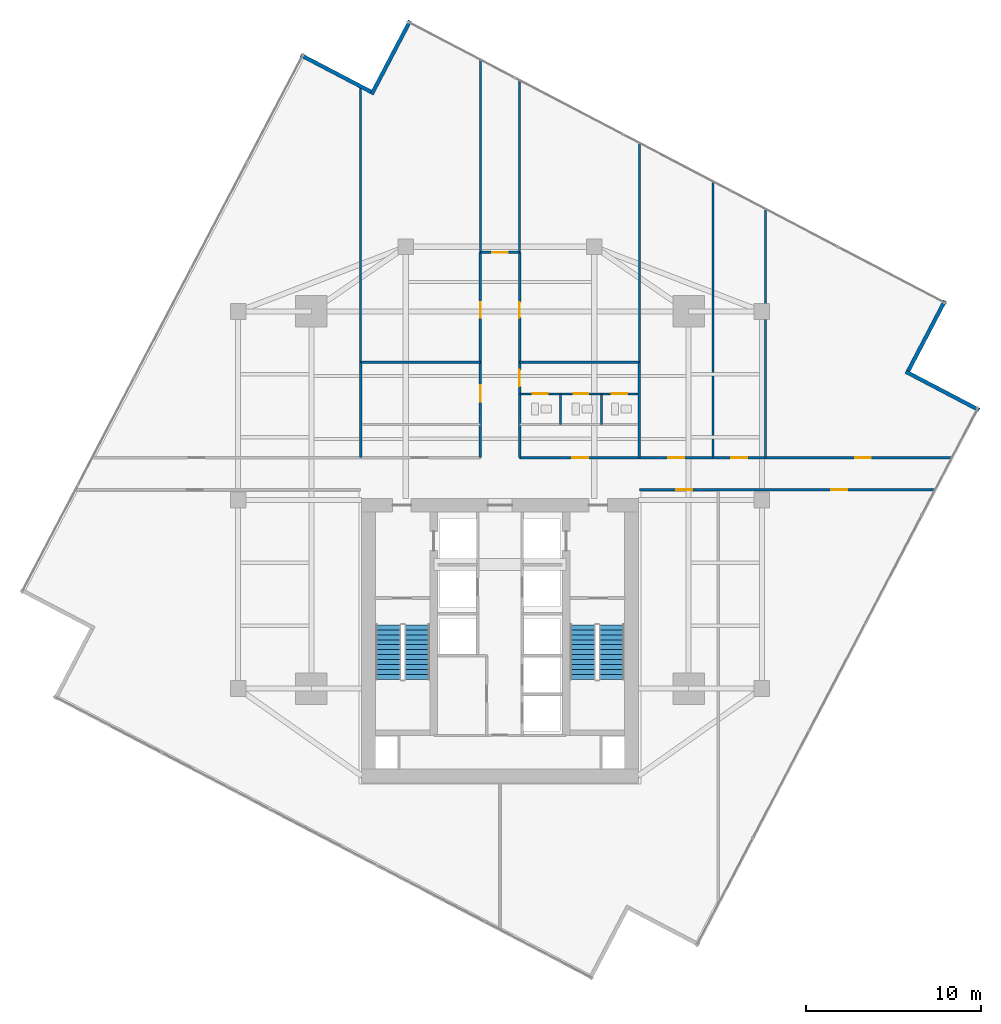
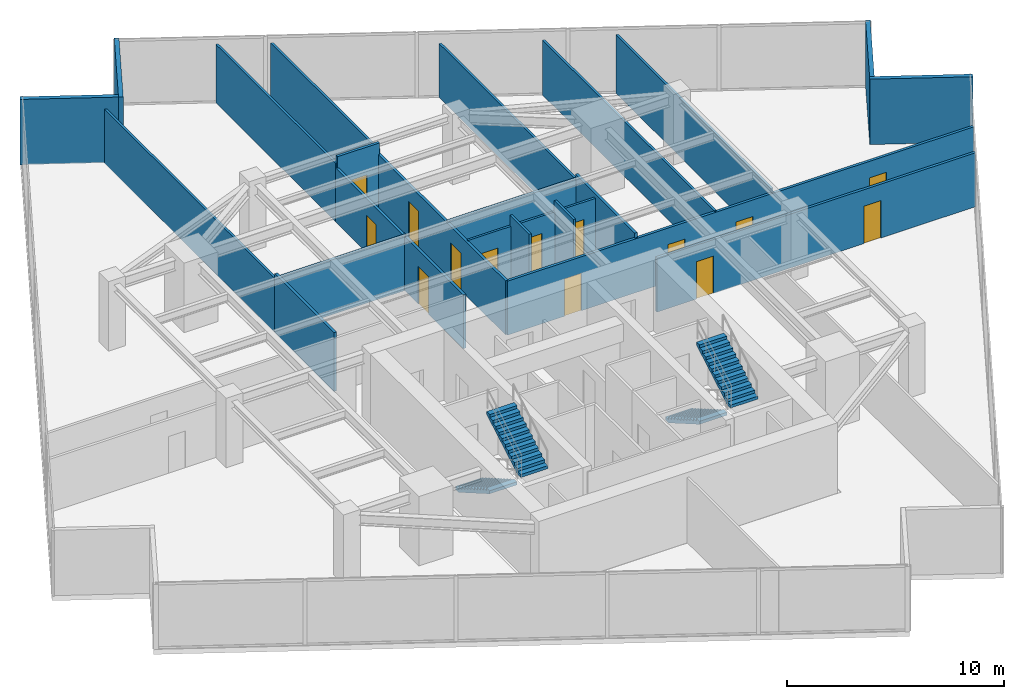
# One storey, part 24 of 27: 22 walls, 14 doors, 4 stair flights, 14 openings, 2 elements without a shape of their own.
"""IFC4 building model written with IfcOpenShell, lengths in metres."""

from ifc_helpers import new_model, si_unit, direction, frame, frame_2d, origin, place, context, subcontext, project, spatial, polyline, rectangle, outline, extrude, material, layer, layer_set, type_object, element, fill, aggregate, save


model = new_model("IFC4")

# Units and contexts
model_context = context("Model", 3, precision=1e-05, world=origin(), true_north=direction((0.0, 1.0)))
body_context = subcontext(model_context, "Body", "Model", "MODEL_VIEW")
ifc_project = project(units=[si_unit("LENGTHUNIT", "METRE"), si_unit("AREAUNIT", "SQUARE_METRE"), si_unit("VOLUMEUNIT", "CUBIC_METRE"), si_unit("PLANEANGLEUNIT", "RADIAN"), si_unit("MASSUNIT", "GRAM", prefix="KILO")], contexts=[model_context])

# Site, building, storey
site_placement = place(None, origin())
site = spatial("IfcSite", under=ifc_project, at=site_placement, CompositionType="ELEMENT")
building_placement = place(site_placement, origin())
building = spatial("IfcBuilding", under=site, at=building_placement, Name="Krantzveldt Concourse Tower", CompositionType="ELEMENT")
storey_placement = place(building_placement, frame((0.0, 0.0, 150.14990234375)))
storey = spatial("IfcBuildingStorey", under=building, at=storey_placement, Name="L36", CompositionType="ELEMENT", Elevation=150.14990234375)

# Walls
ifc_material_1 = material(Name="Anodised aluminium 6063-T6", Category="aluminium")
ifc_layer_1 = layer(ifc_material_1, 0.219970703125, Name="Anodised aluminium 6063-T6", Category="aluminium")
ifc_layer_set_1 = layer_set([ifc_layer_1], Name="Anodised aluminium 6063-T6 (WL-EXT-NOTCH220)")
wall_type_1 = type_object("IfcWallType", Name="WL-EXT-NOTCH220", PredefinedType="ELEMENTEDWALL", material=ifc_layer_set_1)
wall_1_placement = place(storey_placement, frame((28.6005859375, 50.087158203125, 0.0), z_axis=(0.0, 0.0, 1.0), x_axis=(-0.885997280363, 0.463690434653, 0.0)))
element("IfcWall", 1, at=wall_1_placement, inside=storey, type_object=wall_type_1, Name="EW-L36-NCH00", PredefinedType="ELEMENTEDWALL", context=body_context, shape_type="SweptSolid", body=[
    extrude(rectangle(XDim=4.52490234375, YDim=0.219970703125, at=frame_2d((2.262451171875, 0.0))), origin(), (0.0, 0.0, 1.0), 3.670166015625),
])
wall_2_placement = place(storey_placement, frame((63.442626953125, 31.852783203125, 0.0), z_axis=(0.0, 0.0, 1.0), x_axis=(-0.886000663224, 0.463683970788, 0.0)))
element("IfcWall", 2, at=wall_2_placement, inside=storey, type_object=wall_type_1, Name="EW-L36-NCH08", PredefinedType="ELEMENTEDWALL", context=body_context, shape_type="SweptSolid", body=[
    extrude(rectangle(XDim=4.7451171875, YDim=0.219970703125, at=frame_2d((2.37255859375, 0.0))), origin(), (0.0, 0.0, 1.0), 3.670166015625),
])
wall_3_placement = place(storey_placement, frame((59.386962890625, 34.099365234375, 0.0), z_axis=(0.0, 0.0, 1.0), x_axis=(0.463690434653, 0.885997280363, 0.0)))
element("IfcWall", 3, at=wall_3_placement, inside=storey, type_object=wall_type_1, Name="EW-L36-NCH09", PredefinedType="ELEMENTEDWALL", context=body_context, shape_type="SweptSolid", body=[
    extrude(rectangle(XDim=4.52490234375, YDim=0.219970703125, at=frame_2d((2.262451171875, 0.0))), origin(), (0.0, 0.0, 1.0), 3.670166015625),
])
wall_4_placement = place(storey_placement, frame((30.84716796875, 54.142578125, 0.0), z_axis=(0.0, 0.0, 1.0), x_axis=(-0.463643579795, -0.886021800474, 0.0)))
element("IfcWall", 4, at=wall_4_placement, inside=storey, type_object=wall_type_1, Name="EW-L36-NCH11", PredefinedType="ELEMENTEDWALL", context=body_context, shape_type="SweptSolid", body=[
    extrude(rectangle(XDim=4.744873046875, YDim=0.219970703125, at=frame_2d((2.37255859375, 0.0))), origin(), (0.0, 0.0, 1.0), 3.670166015625),
])

# Wall, openings, doors
ifc_material_2 = material(Name="Fire-rated gypsum plasterboard on steel stud", Category="steel")
ifc_layer_2 = layer(ifc_material_2, 0.1201171875, Name="Fire-rated gypsum plasterboard on steel stud", Category="steel")
ifc_layer_set_2 = layer_set([ifc_layer_2], Name="Fire-rated gypsum plasterboard on steel stud (WL-PART-120)")
wall_type_2 = type_object("IfcWallType", Name="WL-PART-120", PredefinedType="PARTITIONING", material=ifc_layer_set_2)
wall_5_placement = place(storey_placement, frame((37.14990234375, 32.780029296875, 0.0), z_axis=(0.0, 0.0, 1.0), x_axis=(1.0, 0.0, 0.0)))
wall_5 = element("IfcWall", 5, at=wall_5_placement, inside=storey, type_object=wall_type_2, Name="WP-L36-WCHDR", PredefinedType="PARTITIONING", context=body_context, shape_type="SweptSolid", body=[
    extrude(rectangle(XDim=6.800048828125, YDim=0.1201171875, at=frame_2d((3.39990234375, 0.0))), origin(), (0.0, 0.0, 1.0), 3.080078125),
])
opening_1_placement = place(wall_5_placement, frame((0.72509765625, 0.0, 0.0)))
opening_1 = element("IfcOpeningElement", 6, at=opening_1_placement, cuts=wall_5, Name="Opening D-IN085", PredefinedType="OPENING", context=body_context, shape_type="SweptSolid", body=[
    extrude(rectangle(XDim=0.85009765625, YDim=2.10009765625, at=frame_2d((0.425048828125, 1.050048828125))), frame((0.0, 0.070068359375, 0.0), z_axis=(0.0, -1.0, 0.0), x_axis=(1.0, 0.0, 0.0)), (0.0, 0.0, 1.0), 0.14013671875),
])
opening_2_placement = place(wall_5_placement, frame((3.06494140625, 0.0, 0.0)))
opening_2 = element("IfcOpeningElement", 7, at=opening_2_placement, cuts=wall_5, Name="Opening D-IN085", PredefinedType="OPENING", context=body_context, shape_type="SweptSolid", body=[
    extrude(rectangle(XDim=0.85009765625, YDim=2.10009765625, at=frame_2d((0.425048828125, 1.050048828125))), frame((0.0, 0.070068359375, 0.0), z_axis=(0.0, -1.0, 0.0), x_axis=(1.0, 0.0, 0.0)), (0.0, 0.0, 1.0), 0.14013671875),
])
opening_3_placement = place(wall_5_placement, frame((5.25, 0.0, 0.0)))
opening_3 = element("IfcOpeningElement", 8, at=opening_3_placement, cuts=wall_5, Name="Opening D-IN090", PredefinedType="OPENING", context=body_context, shape_type="SweptSolid", body=[
    extrude(rectangle(XDim=0.89990234375, YDim=2.10009765625, at=frame_2d((0.449951171875, 1.050048828125))), frame((0.0, 0.070068359375, 0.0), z_axis=(0.0, -1.0, 0.0), x_axis=(1.0, 0.0, 0.0)), (0.0, 0.0, 1.0), 0.14013671875),
])
ifc_material_3 = material(Name="Hardwood timber", Category="wood")
door_type_1 = type_object("IfcDoorType", Name="DR-INT-850", OperationType="SINGLE_SWING_LEFT", PredefinedType="DOOR", material=ifc_material_3)
door_1_placement = place(opening_1_placement, origin())
door_1 = element("IfcDoor", 9, at=door_1_placement, inside=storey, type_object=door_type_1, Name="DR-L36-WCM", OperationType="SINGLE_SWING_LEFT", OverallHeight=2.10009765625, OverallWidth=0.85009765625, PredefinedType="DOOR", context=body_context, shape_type="SweptSolid", body=[
    extrude(rectangle(XDim=0.85009765625, YDim=2.10009765625, at=frame_2d((0.425048828125, 1.050048828125))), frame((0.0, 0.02490234375, 0.0), z_axis=(0.0, -1.0, 0.0), x_axis=(1.0, 0.0, 0.0)), (0.0, 0.0, 1.0), 0.050048828125),
])
fill(opening_1, door_1)
door_2_placement = place(opening_2_placement, origin())
door_2 = element("IfcDoor", 10, at=door_2_placement, inside=storey, type_object=door_type_1, Name="DR-L36-WCF", OperationType="SINGLE_SWING_RIGHT", OverallHeight=2.10009765625, OverallWidth=0.85009765625, PredefinedType="DOOR", context=body_context, shape_type="SweptSolid", body=[
    extrude(rectangle(XDim=0.85009765625, YDim=2.10009765625, at=frame_2d((0.425048828125, 1.050048828125))), frame((0.0, 0.02490234375, 0.0), z_axis=(0.0, -1.0, 0.0), x_axis=(1.0, 0.0, 0.0)), (0.0, 0.0, 1.0), 0.050048828125),
])
fill(opening_2, door_2)
door_type_2 = type_object("IfcDoorType", Name="DR-INT-900", OperationType="SINGLE_SWING_LEFT", PredefinedType="DOOR", material=ifc_material_3)
door_3_placement = place(opening_3_placement, origin())
door_3 = element("IfcDoor", 11, at=door_3_placement, inside=storey, type_object=door_type_2, Name="DR-L36-WCA", OperationType="SINGLE_SWING_LEFT", OverallHeight=2.10009765625, OverallWidth=0.89990234375, PredefinedType="DOOR", context=body_context, shape_type="SweptSolid", body=[
    extrude(rectangle(XDim=0.89990234375, YDim=2.10009765625, at=frame_2d((0.449951171875, 1.050048828125))), frame((0.0, 0.02490234375, 0.0), z_axis=(0.0, -1.0, 0.0), x_axis=(1.0, 0.0, 0.0)), (0.0, 0.0, 1.0), 0.050048828125),
])
fill(opening_3, door_3)

# Walls
for number, where, z_axis, x_axis, name in (
    (12, (39.469970703125, 31.02001953125, 0.0), (0.0, 0.0, 1.0), (0.0, 1.0, 0.0), "WP-L36-WCD1"),
    (13, (41.81005859375, 31.02001953125, 0.0), (0.0, 0.0, 1.0), (0.0, 1.0, 0.0), "WP-L36-WCD2"),
):
    element("IfcWall", number, at=place(storey_placement, frame(where, z_axis=z_axis, x_axis=x_axis)), inside=storey, type_object=wall_type_2, Name=name, PredefinedType="PARTITIONING", context=body_context, shape_type="SweptSolid", body=[
        extrude(rectangle(XDim=1.760009765625, YDim=0.1201171875, at=frame_2d((0.8798828125, 0.0))), origin(), (0.0, 0.0, 1.0), 3.670166015625),
    ])
wall_6_placement = place(storey_placement, frame((34.8798828125, 40.8798828125, 0.0), z_axis=(0.0, 0.0, 1.0), x_axis=(0.0, 1.0, 0.0)))
element("IfcWall", 14, at=wall_6_placement, inside=storey, type_object=wall_type_2, Name="WP-L36-NTL", PredefinedType="PARTITIONING", context=body_context, shape_type="SweptSolid", body=[
    extrude(rectangle(XDim=11.0224609375, YDim=0.1201171875, at=frame_2d((5.51123046875, 0.0))), origin(), (0.0, 0.0, 1.0), 3.280029296875),
])
wall_7_placement = place(storey_placement, frame((37.1201171875, 40.8798828125, 0.0), z_axis=(0.0, 0.0, 1.0), x_axis=(0.0, 1.0, 0.0)))
element("IfcWall", 15, at=wall_7_placement, inside=storey, type_object=wall_type_2, Name="WP-L36-NTR", PredefinedType="PARTITIONING", context=body_context, shape_type="SweptSolid", body=[
    extrude(rectangle(XDim=9.85009765625, YDim=0.1201171875, at=frame_2d((4.925048828125, 0.0))), origin(), (0.0, 0.0, 1.0), 3.280029296875),
])
wall_8_placement = place(storey_placement, frame((28.02001953125, 34.580078125, 0.0), z_axis=(0.0, 0.0, 1.0), x_axis=(0.0, 1.0, 0.0)))
element("IfcWall", 16, at=wall_8_placement, inside=storey, type_object=wall_type_2, Name="WP-L36-ISWL2", PredefinedType="PARTITIONING", context=body_context, shape_type="SweptSolid", body=[
    extrude(rectangle(XDim=15.68115234375, YDim=0.1201171875, at=frame_2d((7.840576171875, 0.0))), origin(), (0.0, 0.0, 1.0), 3.030029296875),
])
wall_9_placement = place(storey_placement, frame((43.97998046875, 34.580078125, 0.0), z_axis=(0.0, 0.0, 1.0), x_axis=(0.0, 1.0, 0.0)))
element("IfcWall", 17, at=wall_9_placement, inside=storey, type_object=wall_type_2, Name="WP-L36-ISER2", PredefinedType="PARTITIONING", context=body_context, shape_type="SweptSolid", body=[
    extrude(rectangle(XDim=12.559814453125, YDim=0.1201171875, at=frame_2d((6.27978515625, 0.0))), origin(), (0.0, 0.0, 1.0), 3.030029296875),
])
wall_10_placement = place(storey_placement, frame((48.199951171875, 29.1201171875, 0.0), z_axis=(0.0, 0.0, 1.0), x_axis=(0.0, 1.0, 0.0)))
element("IfcWall", 18, at=wall_10_placement, inside=storey, type_object=wall_type_2, Name="WP-L36-NEX1", PredefinedType="PARTITIONING", context=body_context, shape_type="SweptSolid", body=[
    extrude(rectangle(XDim=15.811279296875, YDim=0.1201171875, at=frame_2d((7.90576171875, 0.0))), origin(), (0.0, 0.0, 1.0), 3.080078125),
])
wall_11_placement = place(storey_placement, frame((51.199951171875, 29.1201171875, 0.0), z_axis=(0.0, 0.0, 1.0), x_axis=(0.0, 1.0, 0.0)))
element("IfcWall", 19, at=wall_11_placement, inside=storey, type_object=wall_type_2, Name="WP-L36-NEX2", PredefinedType="PARTITIONING", context=body_context, shape_type="SweptSolid", body=[
    extrude(rectangle(XDim=14.2412109375, YDim=0.1201171875, at=frame_2d((7.12060546875, 0.0))), origin(), (0.0, 0.0, 1.0), 3.280029296875),
])

# Wall, openings, doors
ifc_layer_3 = layer(ifc_material_2, 0.139892578125, Name="Fire-rated gypsum plasterboard on steel stud", Category="steel")
ifc_layer_set_3 = layer_set([ifc_layer_3], Name="Fire-rated gypsum plasterboard on steel stud (WL-PART-140)")
wall_type_3 = type_object("IfcWallType", Name="WL-PART-140", PredefinedType="PARTITIONING", material=ifc_layer_set_3)
wall_12_placement = place(storey_placement, frame((34.8798828125, 29.1201171875, 0.0), z_axis=(0.0, 0.0, 1.0), x_axis=(0.0, 1.0, 0.0)))
wall_12 = element("IfcWall", 20, at=wall_12_placement, inside=storey, type_object=wall_type_3, Name="WP-L36-SPWL", PredefinedType="PARTITIONING", context=body_context, shape_type="SweptSolid", body=[
    extrude(rectangle(XDim=11.759765625, YDim=0.139892578125, at=frame_2d((5.8798828125, 0.0))), origin(), (0.0, 0.0, 1.0), 3.030029296875),
])
opening_4_placement = place(wall_12_placement, frame((3.205078125, 0.0, 0.0)))
opening_4 = element("IfcOpeningElement", 21, at=opening_4_placement, cuts=wall_12, Name="Opening D-IN095", PredefinedType="OPENING", context=body_context, shape_type="SweptSolid", body=[
    extrude(rectangle(XDim=0.949951171875, YDim=2.10009765625, at=frame_2d((0.47509765625, 1.050048828125))), frame((0.0, 0.080078125, 0.0), z_axis=(0.0, -1.0, 0.0), x_axis=(1.0, 0.0, 0.0)), (0.0, 0.0, 1.0), 0.159912109375),
])
opening_5_placement = place(wall_12_placement, frame((8.02001953125, 0.0, 0.0)))
opening_5 = element("IfcOpeningElement", 22, at=opening_5_placement, cuts=wall_12, Name="Opening D-IN090", PredefinedType="OPENING", context=body_context, shape_type="SweptSolid", body=[
    extrude(rectangle(XDim=0.89990234375, YDim=2.10009765625, at=frame_2d((0.449951171875, 1.050048828125))), frame((0.0, 0.080078125, 0.0), z_axis=(0.0, -1.0, 0.0), x_axis=(1.0, 0.0, 0.0)), (0.0, 0.0, 1.0), 0.159912109375),
])
door_4_placement = place(opening_5_placement, origin())
door_4 = element("IfcDoor", 23, at=door_4_placement, inside=storey, type_object=door_type_2, Name="DR-L36-NWI1", OperationType="SINGLE_SWING_LEFT", OverallHeight=2.10009765625, OverallWidth=0.89990234375, PredefinedType="DOOR", context=body_context, shape_type="SweptSolid", body=[
    extrude(rectangle(XDim=0.89990234375, YDim=2.10009765625, at=frame_2d((0.449951171875, 1.050048828125))), frame((0.0, 0.02490234375, 0.0), z_axis=(0.0, -1.0, 0.0), x_axis=(1.0, 0.0, 0.0)), (0.0, 0.0, 1.0), 0.050048828125),
])
fill(opening_5, door_4)
door_type_3 = type_object("IfcDoorType", Name="DR-INT-950", OperationType="SINGLE_SWING_LEFT", PredefinedType="DOOR", material=ifc_material_3)
door_5_placement = place(opening_4_placement, origin())
door_5 = element("IfcDoor", 24, at=door_5_placement, inside=storey, type_object=door_type_3, Name="DR-L36-PNT", OperationType="SINGLE_SWING_RIGHT", OverallHeight=2.10009765625, OverallWidth=0.949951171875, PredefinedType="DOOR", context=body_context, shape_type="SweptSolid", body=[
    extrude(rectangle(XDim=0.949951171875, YDim=2.10009765625, at=frame_2d((0.47509765625, 1.050048828125))), frame((0.0, 0.02490234375, 0.0), z_axis=(0.0, -1.0, 0.0), x_axis=(1.0, 0.0, 0.0)), (0.0, 0.0, 1.0), 0.050048828125),
])
fill(opening_4, door_5)

wall_13_placement = place(storey_placement, frame((37.1201171875, 29.1201171875, 0.0), z_axis=(0.0, 0.0, 1.0), x_axis=(0.0, 1.0, 0.0)))
wall_13 = element("IfcWall", 25, at=wall_13_placement, inside=storey, type_object=wall_type_3, Name="WP-L36-SPER", PredefinedType="PARTITIONING", context=body_context, shape_type="SweptSolid", body=[
    extrude(rectangle(XDim=11.759765625, YDim=0.139892578125, at=frame_2d((5.8798828125, 0.0))), origin(), (0.0, 0.0, 1.0), 3.030029296875),
])
opening_6_placement = place(wall_13_placement, frame((4.0849609375, 0.0, 0.0)))
opening_6 = element("IfcOpeningElement", 26, at=opening_6_placement, cuts=wall_13, Name="Opening D-IN095", PredefinedType="OPENING", context=body_context, shape_type="SweptSolid", body=[
    extrude(rectangle(XDim=0.949951171875, YDim=2.10009765625, at=frame_2d((0.47509765625, 1.050048828125))), frame((0.0, 0.080078125, 0.0), z_axis=(0.0, -1.0, 0.0), x_axis=(1.0, 0.0, 0.0)), (0.0, 0.0, 1.0), 0.159912109375),
])
opening_7_placement = place(wall_13_placement, frame((8.02001953125, 0.0, 0.0)))
opening_7 = element("IfcOpeningElement", 27, at=opening_7_placement, cuts=wall_13, Name="Opening D-IN090", PredefinedType="OPENING", context=body_context, shape_type="SweptSolid", body=[
    extrude(rectangle(XDim=0.89990234375, YDim=2.10009765625, at=frame_2d((0.449951171875, 1.050048828125))), frame((0.0, 0.080078125, 0.0), z_axis=(0.0, -1.0, 0.0), x_axis=(1.0, 0.0, 0.0)), (0.0, 0.0, 1.0), 0.159912109375),
])
door_6_placement = place(opening_7_placement, origin())
door_6 = element("IfcDoor", 28, at=door_6_placement, inside=storey, type_object=door_type_2, Name="DR-L36-NEI1", OperationType="SINGLE_SWING_LEFT", OverallHeight=2.10009765625, OverallWidth=0.89990234375, PredefinedType="DOOR", context=body_context, shape_type="SweptSolid", body=[
    extrude(rectangle(XDim=0.89990234375, YDim=2.10009765625, at=frame_2d((0.449951171875, 1.050048828125))), frame((0.0, 0.02490234375, 0.0), z_axis=(0.0, -1.0, 0.0), x_axis=(1.0, 0.0, 0.0)), (0.0, 0.0, 1.0), 0.050048828125),
])
fill(opening_7, door_6)
door_7_placement = place(opening_6_placement, origin())
door_7 = element("IfcDoor", 29, at=door_7_placement, inside=storey, type_object=door_type_3, Name="DR-L36-WCLB", OperationType="SINGLE_SWING_LEFT", OverallHeight=2.10009765625, OverallWidth=0.949951171875, PredefinedType="DOOR", context=body_context, shape_type="SweptSolid", body=[
    extrude(rectangle(XDim=0.949951171875, YDim=2.10009765625, at=frame_2d((0.47509765625, 1.050048828125))), frame((0.0, 0.02490234375, 0.0), z_axis=(0.0, -1.0, 0.0), x_axis=(1.0, 0.0, 0.0)), (0.0, 0.0, 1.0), 0.050048828125),
])
fill(opening_6, door_7)

# Wall, opening, door
wall_14_placement = place(storey_placement, frame((34.8798828125, 40.8798828125, 0.0), z_axis=(0.0, 0.0, 1.0), x_axis=(1.0, 0.0, 0.0)))
wall_14 = element("IfcWall", 30, at=wall_14_placement, inside=storey, type_object=wall_type_3, Name="WP-L36-SPTOP", PredefinedType="PARTITIONING", context=body_context, shape_type="SweptSolid", body=[
    extrude(rectangle(XDim=2.240234375, YDim=0.139892578125, at=frame_2d((1.1201171875, 0.0))), origin(), (0.0, 0.0, 1.0), 3.670166015625),
])
opening_8_placement = place(wall_14_placement, frame((0.669921875, 0.0, 0.0)))
opening_8 = element("IfcOpeningElement", 31, at=opening_8_placement, cuts=wall_14, Name="Opening D-IN090", PredefinedType="OPENING", context=body_context, shape_type="SweptSolid", body=[
    extrude(rectangle(XDim=0.89990234375, YDim=2.10009765625, at=frame_2d((0.449951171875, 1.050048828125))), frame((0.0, 0.080078125, 0.0), z_axis=(0.0, -1.0, 0.0), x_axis=(1.0, 0.0, 0.0)), (0.0, 0.0, 1.0), 0.159912109375),
])
door_8_placement = place(opening_8_placement, origin())
door_8 = element("IfcDoor", 32, at=door_8_placement, inside=storey, type_object=door_type_2, Name="DR-L36-NTOP", OperationType="SINGLE_SWING_LEFT", OverallHeight=2.10009765625, OverallWidth=0.89990234375, PredefinedType="DOOR", context=body_context, shape_type="SweptSolid", body=[
    extrude(rectangle(XDim=0.89990234375, YDim=2.10009765625, at=frame_2d((0.449951171875, 1.050048828125))), frame((0.0, 0.02490234375, 0.0), z_axis=(0.0, -1.0, 0.0), x_axis=(1.0, 0.0, 0.0)), (0.0, 0.0, 1.0), 0.050048828125),
])
fill(opening_8, door_8)

# Wall, openings, doors
wall_15_placement = place(storey_placement, frame((37.1201171875, 29.1201171875, 0.0), z_axis=(0.0, 0.0, 1.0), x_axis=(1.0, 0.0, 0.0)))
wall_15 = element("IfcWall", 33, at=wall_15_placement, inside=storey, type_object=wall_type_3, Name="WP-L36-EWNR", PredefinedType="PARTITIONING", context=body_context, shape_type="SweptSolid", body=[
    extrude(rectangle(XDim=24.7626953125, YDim=0.139892578125, at=frame_2d((12.38134765625, 0.0))), origin(), (0.0, 0.0, 1.0), 3.030029296875),
])
opening_9_placement = place(wall_15_placement, frame((3.030029296875, 0.0, 0.0)))
opening_9 = element("IfcOpeningElement", 34, at=opening_9_placement, cuts=wall_15, Name="Opening D-IN090", PredefinedType="OPENING", context=body_context, shape_type="SweptSolid", body=[
    extrude(rectangle(XDim=0.89990234375, YDim=2.10009765625, at=frame_2d((0.449951171875, 1.050048828125))), frame((0.0, 0.080078125, 0.0), z_axis=(0.0, -1.0, 0.0), x_axis=(1.0, 0.0, 0.0)), (0.0, 0.0, 1.0), 0.159912109375),
])
opening_10_placement = place(wall_15_placement, frame((8.52001953125, 0.0, 0.0)))
opening_10 = element("IfcOpeningElement", 35, at=opening_10_placement, cuts=wall_15, Name="Opening D-IN090", PredefinedType="OPENING", context=body_context, shape_type="SweptSolid", body=[
    extrude(rectangle(XDim=0.89990234375, YDim=2.10009765625, at=frame_2d((0.449951171875, 1.050048828125))), frame((0.0, 0.080078125, 0.0), z_axis=(0.0, -1.0, 0.0), x_axis=(1.0, 0.0, 0.0)), (0.0, 0.0, 1.0), 0.159912109375),
])
opening_11_placement = place(wall_15_placement, frame((12.1298828125, 0.0, 0.0)))
opening_11 = element("IfcOpeningElement", 36, at=opening_11_placement, cuts=wall_15, Name="Opening D-IN090", PredefinedType="OPENING", context=body_context, shape_type="SweptSolid", body=[
    extrude(rectangle(XDim=0.89990234375, YDim=2.10009765625, at=frame_2d((0.449951171875, 1.050048828125))), frame((0.0, 0.080078125, 0.0), z_axis=(0.0, -1.0, 0.0), x_axis=(1.0, 0.0, 0.0)), (0.0, 0.0, 1.0), 0.159912109375),
])
opening_12_placement = place(wall_15_placement, frame((19.217041015625, 0.0, 0.0)))
opening_12 = element("IfcOpeningElement", 37, at=opening_12_placement, cuts=wall_15, Name="Opening D-IN090", PredefinedType="OPENING", context=body_context, shape_type="SweptSolid", body=[
    extrude(rectangle(XDim=0.89990234375, YDim=2.10009765625, at=frame_2d((0.449951171875, 1.050048828125))), frame((0.0, 0.080078125, 0.0), z_axis=(0.0, -1.0, 0.0), x_axis=(1.0, 0.0, 0.0)), (0.0, 0.0, 1.0), 0.159912109375),
])
door_9_placement = place(opening_9_placement, origin())
door_9 = element("IfcDoor", 38, at=door_9_placement, inside=storey, type_object=door_type_2, Name="DR-L36-ALCR", OperationType="SINGLE_SWING_RIGHT", OverallHeight=2.10009765625, OverallWidth=0.89990234375, PredefinedType="DOOR", context=body_context, shape_type="SweptSolid", body=[
    extrude(rectangle(XDim=0.89990234375, YDim=2.10009765625, at=frame_2d((0.449951171875, 1.050048828125))), frame((0.0, 0.02490234375, 0.0), z_axis=(0.0, -1.0, 0.0), x_axis=(1.0, 0.0, 0.0)), (0.0, 0.0, 1.0), 0.050048828125),
])
fill(opening_9, door_9)
door_10_placement = place(opening_10_placement, origin())
door_10 = element("IfcDoor", 39, at=door_10_placement, inside=storey, type_object=door_type_2, Name="DR-L36-NEX1", OperationType="SINGLE_SWING_RIGHT", OverallHeight=2.10009765625, OverallWidth=0.89990234375, PredefinedType="DOOR", context=body_context, shape_type="SweptSolid", body=[
    extrude(rectangle(XDim=0.89990234375, YDim=2.10009765625, at=frame_2d((0.449951171875, 1.050048828125))), frame((0.0, 0.02490234375, 0.0), z_axis=(0.0, -1.0, 0.0), x_axis=(1.0, 0.0, 0.0)), (0.0, 0.0, 1.0), 0.050048828125),
])
fill(opening_10, door_10)
door_11_placement = place(opening_11_placement, origin())
door_11 = element("IfcDoor", 40, at=door_11_placement, inside=storey, type_object=door_type_2, Name="DR-L36-NEX2", OperationType="SINGLE_SWING_RIGHT", OverallHeight=2.10009765625, OverallWidth=0.89990234375, PredefinedType="DOOR", context=body_context, shape_type="SweptSolid", body=[
    extrude(rectangle(XDim=0.89990234375, YDim=2.10009765625, at=frame_2d((0.449951171875, 1.050048828125))), frame((0.0, 0.02490234375, 0.0), z_axis=(0.0, -1.0, 0.0), x_axis=(1.0, 0.0, 0.0)), (0.0, 0.0, 1.0), 0.050048828125),
])
fill(opening_11, door_11)
door_12_placement = place(opening_12_placement, origin())
door_12 = element("IfcDoor", 41, at=door_12_placement, inside=storey, type_object=door_type_2, Name="DR-L36-NEX3", OperationType="SINGLE_SWING_RIGHT", OverallHeight=2.10009765625, OverallWidth=0.89990234375, PredefinedType="DOOR", context=body_context, shape_type="SweptSolid", body=[
    extrude(rectangle(XDim=0.89990234375, YDim=2.10009765625, at=frame_2d((0.449951171875, 1.050048828125))), frame((0.0, 0.02490234375, 0.0), z_axis=(0.0, -1.0, 0.0), x_axis=(1.0, 0.0, 0.0)), (0.0, 0.0, 1.0), 0.050048828125),
])
fill(opening_12, door_12)

wall_16_placement = place(storey_placement, frame((44.0, 27.280029296875, 0.0), z_axis=(0.0, 0.0, 1.0), x_axis=(1.0, 0.0, 0.0)))
wall_16 = element("IfcWall", 42, at=wall_16_placement, inside=storey, type_object=wall_type_3, Name="WP-L36-EWSR", PredefinedType="PARTITIONING", context=body_context, shape_type="SweptSolid", body=[
    extrude(rectangle(XDim=16.919921875, YDim=0.139892578125, at=frame_2d((8.4599609375, 0.0))), origin(), (0.0, 0.0, 1.0), 3.030029296875),
])
opening_13_placement = place(wall_16_placement, frame((2.10009765625, 0.0, 0.0)))
opening_13 = element("IfcOpeningElement", 43, at=opening_13_placement, cuts=wall_16, Name="Opening D-IN090", PredefinedType="OPENING", context=body_context, shape_type="SweptSolid", body=[
    extrude(rectangle(XDim=0.89990234375, YDim=2.10009765625, at=frame_2d((0.449951171875, 1.050048828125))), frame((0.0, 0.080078125, 0.0), z_axis=(0.0, -1.0, 0.0), x_axis=(1.0, 0.0, 0.0)), (0.0, 0.0, 1.0), 0.159912109375),
])
opening_14_placement = place(wall_16_placement, frame((10.987060546875, 0.0, 0.0)))
opening_14 = element("IfcOpeningElement", 44, at=opening_14_placement, cuts=wall_16, Name="Opening D-IN090", PredefinedType="OPENING", context=body_context, shape_type="SweptSolid", body=[
    extrude(rectangle(XDim=0.89990234375, YDim=2.10009765625, at=frame_2d((0.449951171875, 1.050048828125))), frame((0.0, 0.080078125, 0.0), z_axis=(0.0, -1.0, 0.0), x_axis=(1.0, 0.0, 0.0)), (0.0, 0.0, 1.0), 0.159912109375),
])
door_13_placement = place(opening_13_placement, origin())
door_13 = element("IfcDoor", 45, at=door_13_placement, inside=storey, type_object=door_type_2, Name="DR-L36-SEX1", OperationType="SINGLE_SWING_RIGHT", OverallHeight=2.10009765625, OverallWidth=0.89990234375, PredefinedType="DOOR", context=body_context, shape_type="SweptSolid", body=[
    extrude(rectangle(XDim=0.89990234375, YDim=2.10009765625, at=frame_2d((0.449951171875, 1.050048828125))), frame((0.0, 0.02490234375, 0.0), z_axis=(0.0, -1.0, 0.0), x_axis=(1.0, 0.0, 0.0)), (0.0, 0.0, 1.0), 0.050048828125),
])
fill(opening_13, door_13)
door_14_placement = place(opening_14_placement, origin())
door_14 = element("IfcDoor", 46, at=door_14_placement, inside=storey, type_object=door_type_2, Name="DR-L36-SEX2", OperationType="SINGLE_SWING_RIGHT", OverallHeight=2.10009765625, OverallWidth=0.89990234375, PredefinedType="DOOR", context=body_context, shape_type="SweptSolid", body=[
    extrude(rectangle(XDim=0.89990234375, YDim=2.10009765625, at=frame_2d((0.449951171875, 1.050048828125))), frame((0.0, 0.02490234375, 0.0), z_axis=(0.0, -1.0, 0.0), x_axis=(1.0, 0.0, 0.0)), (0.0, 0.0, 1.0), 0.050048828125),
])
fill(opening_14, door_14)

# Walls
for number, where, z_axis, x_axis, name in (
    (47, (28.02001953125, 34.580078125, 0.0), (0.0, 0.0, 1.0), (1.0, 0.0, 0.0), "WP-L36-ISNL"),
    (48, (37.1201171875, 34.580078125, 0.0), (0.0, 0.0, 1.0), (1.0, 0.0, 0.0), "WP-L36-ISNR"),
):
    element("IfcWall", number, at=place(storey_placement, frame(where, z_axis=z_axis, x_axis=x_axis)), inside=storey, type_object=wall_type_3, Name=name, PredefinedType="PARTITIONING", context=body_context, shape_type="SweptSolid", body=[
        extrude(rectangle(XDim=6.85986328125, YDim=0.139892578125, at=frame_2d((3.429931640625, 0.0))), origin(), (0.0, 0.0, 1.0), 3.080078125),
    ])
for number, where, z_axis, x_axis, name in (
    (49, (28.02001953125, 29.1201171875, 0.0), (0.0, 0.0, 1.0), (0.0, 1.0, 0.0), "WP-L36-ISWL"),
    (50, (43.97998046875, 29.1201171875, 0.0), (0.0, 0.0, 1.0), (0.0, 1.0, 0.0), "WP-L36-ISER"),
):
    element("IfcWall", number, at=place(storey_placement, frame(where, z_axis=z_axis, x_axis=x_axis)), inside=storey, type_object=wall_type_3, Name=name, PredefinedType="PARTITIONING", context=body_context, shape_type="SweptSolid", body=[
        extrude(rectangle(XDim=5.4599609375, YDim=0.139892578125, at=frame_2d((2.72998046875, 0.0))), origin(), (0.0, 0.0, 1.0), 3.31005859375),
    ])

# Stair, stair flights
ifc_material_4 = material(Name="Precast concrete C40/50", Category="concrete")
stair_type = type_object("IfcStairType", Name="STR-CORE-DOGLEG", PredefinedType="HALF_TURN_STAIR", material=ifc_material_4)
stair_1_placement = place(storey_placement, origin())
stair_1 = element("IfcStair", 51, at=stair_1_placement, inside=storey, type_object=stair_type, Name="L36 Protected Escape Stair ST-1", PredefinedType="HALF_TURN_STAIR")
stair_flight_type = type_object("IfcStairFlightType", Name="STF-CORE-1450", PredefinedType="STRAIGHT", material=ifc_material_4)
stair_flight_1_placement = place(storey_placement, frame((29.60498046875, 19.550048828125, 0.0), z_axis=(0.0, 0.0, 1.0), x_axis=(0.0, -1.0, 0.0)))
stair_flight_1 = element("IfcStairFlight", 52, at=stair_flight_1_placement, type_object=stair_flight_type, Name="ST-1 flight 1", NumberOfRisers=12, NumberOfTreads=11, PredefinedType="STRAIGHT", RiserHeight=0.164583333, TreadLength=0.285, context=body_context, shape_type="SweptSolid", body=[
    extrude(outline(polyline([(0.0, 0.0), (0.0, 0.16455078125), (0.284912109375, 0.16455078125), (0.284912109375, 0.3291015625), (0.570068359375, 0.3291015625), (0.570068359375, 0.49365234375), (0.85498046875, 0.49365234375), (0.85498046875, 0.658447265625), (1.139892578125, 0.658447265625), (1.139892578125, 0.822998046875), (1.425048828125, 0.822998046875), (1.425048828125, 0.987548828125), (1.7099609375, 0.987548828125), (1.7099609375, 1.152099609375), (1.9951171875, 1.152099609375), (1.9951171875, 1.316650390625), (2.280029296875, 1.316650390625), (2.280029296875, 1.481201171875), (2.56494140625, 1.481201171875), (2.56494140625, 1.645751953125), (2.85009765625, 1.645751953125), (2.85009765625, 1.810302734375), (3.135009765625, 1.810302734375), (3.135009765625, 1.97509765625), (3.135009765625, 1.63720703125), (0.2998046875, 0.0), (0.0, 0.0)])), frame((0.0, 0.72509765625, 0.0), z_axis=(0.0, -1.0, 0.0), x_axis=(1.0, 0.0, 0.0)), (0.0, 0.0, 1.0), 1.449951171875),
])
stair_flight_2_placement = place(storey_placement, frame((31.2548828125, 16.4150390625, 1.97509765625), z_axis=(0.0, 0.0, 1.0), x_axis=(0.0, 1.0, 0.0)))
stair_flight_2 = element("IfcStairFlight", 53, at=stair_flight_2_placement, type_object=stair_flight_type, Name="ST-1 flight 2", NumberOfRisers=12, NumberOfTreads=11, PredefinedType="STRAIGHT", RiserHeight=0.164583333, TreadLength=0.285, context=body_context, shape_type="SweptSolid", body=[
    extrude(outline(polyline([(0.0, 0.0), (0.0, 0.16455078125), (0.284912109375, 0.16455078125), (0.284912109375, 0.3291015625), (0.570068359375, 0.3291015625), (0.570068359375, 0.49365234375), (0.85498046875, 0.49365234375), (0.85498046875, 0.658447265625), (1.139892578125, 0.658447265625), (1.139892578125, 0.822998046875), (1.425048828125, 0.822998046875), (1.425048828125, 0.987548828125), (1.7099609375, 0.987548828125), (1.7099609375, 1.152099609375), (1.9951171875, 1.152099609375), (1.9951171875, 1.316650390625), (2.280029296875, 1.316650390625), (2.280029296875, 1.481201171875), (2.56494140625, 1.481201171875), (2.56494140625, 1.645751953125), (2.85009765625, 1.645751953125), (2.85009765625, 1.810302734375), (3.135009765625, 1.810302734375), (3.135009765625, 1.97509765625), (3.135009765625, 1.63720703125), (0.2998046875, 0.0), (0.0, 0.0)])), frame((0.0, 0.72509765625, 0.0), z_axis=(0.0, -1.0, 0.0), x_axis=(1.0, 0.0, 0.0)), (0.0, 0.0, 1.0), 1.449951171875),
])
aggregate(stair_1, [stair_flight_1, stair_flight_2])

stair_2_placement = place(storey_placement, origin())
stair_2 = element("IfcStair", 54, at=stair_2_placement, inside=storey, type_object=stair_type, Name="L36 Protected Escape Stair ST-2", PredefinedType="HALF_TURN_STAIR")
stair_flight_3_placement = place(storey_placement, frame((40.7451171875, 19.550048828125, 0.0), z_axis=(0.0, 0.0, 1.0), x_axis=(0.0, -1.0, 0.0)))
stair_flight_3 = element("IfcStairFlight", 55, at=stair_flight_3_placement, type_object=stair_flight_type, Name="ST-2 flight 1", NumberOfRisers=12, NumberOfTreads=11, PredefinedType="STRAIGHT", RiserHeight=0.164583333, TreadLength=0.285, context=body_context, shape_type="SweptSolid", body=[
    extrude(outline(polyline([(0.0, 0.0), (0.0, 0.16455078125), (0.284912109375, 0.16455078125), (0.284912109375, 0.3291015625), (0.570068359375, 0.3291015625), (0.570068359375, 0.49365234375), (0.85498046875, 0.49365234375), (0.85498046875, 0.658447265625), (1.139892578125, 0.658447265625), (1.139892578125, 0.822998046875), (1.425048828125, 0.822998046875), (1.425048828125, 0.987548828125), (1.7099609375, 0.987548828125), (1.7099609375, 1.152099609375), (1.9951171875, 1.152099609375), (1.9951171875, 1.316650390625), (2.280029296875, 1.316650390625), (2.280029296875, 1.481201171875), (2.56494140625, 1.481201171875), (2.56494140625, 1.645751953125), (2.85009765625, 1.645751953125), (2.85009765625, 1.810302734375), (3.135009765625, 1.810302734375), (3.135009765625, 1.97509765625), (3.135009765625, 1.63720703125), (0.2998046875, 0.0), (0.0, 0.0)])), frame((0.0, 0.72509765625, 0.0), z_axis=(0.0, -1.0, 0.0), x_axis=(1.0, 0.0, 0.0)), (0.0, 0.0, 1.0), 1.449951171875),
])
stair_flight_4_placement = place(storey_placement, frame((42.39501953125, 16.4150390625, 1.97509765625), z_axis=(0.0, 0.0, 1.0), x_axis=(0.0, 1.0, 0.0)))
stair_flight_4 = element("IfcStairFlight", 56, at=stair_flight_4_placement, type_object=stair_flight_type, Name="ST-2 flight 2", NumberOfRisers=12, NumberOfTreads=11, PredefinedType="STRAIGHT", RiserHeight=0.164583333, TreadLength=0.285, context=body_context, shape_type="SweptSolid", body=[
    extrude(outline(polyline([(0.0, 0.0), (0.0, 0.16455078125), (0.284912109375, 0.16455078125), (0.284912109375, 0.3291015625), (0.570068359375, 0.3291015625), (0.570068359375, 0.49365234375), (0.85498046875, 0.49365234375), (0.85498046875, 0.658447265625), (1.139892578125, 0.658447265625), (1.139892578125, 0.822998046875), (1.425048828125, 0.822998046875), (1.425048828125, 0.987548828125), (1.7099609375, 0.987548828125), (1.7099609375, 1.152099609375), (1.9951171875, 1.152099609375), (1.9951171875, 1.316650390625), (2.280029296875, 1.316650390625), (2.280029296875, 1.481201171875), (2.56494140625, 1.481201171875), (2.56494140625, 1.645751953125), (2.85009765625, 1.645751953125), (2.85009765625, 1.810302734375), (3.135009765625, 1.810302734375), (3.135009765625, 1.97509765625), (3.135009765625, 1.63720703125), (0.2998046875, 0.0), (0.0, 0.0)])), frame((0.0, 0.72509765625, 0.0), z_axis=(0.0, -1.0, 0.0), x_axis=(1.0, 0.0, 0.0)), (0.0, 0.0, 1.0), 1.449951171875),
])
aggregate(stair_2, [stair_flight_3, stair_flight_4])

save(model, "model.ifc")
